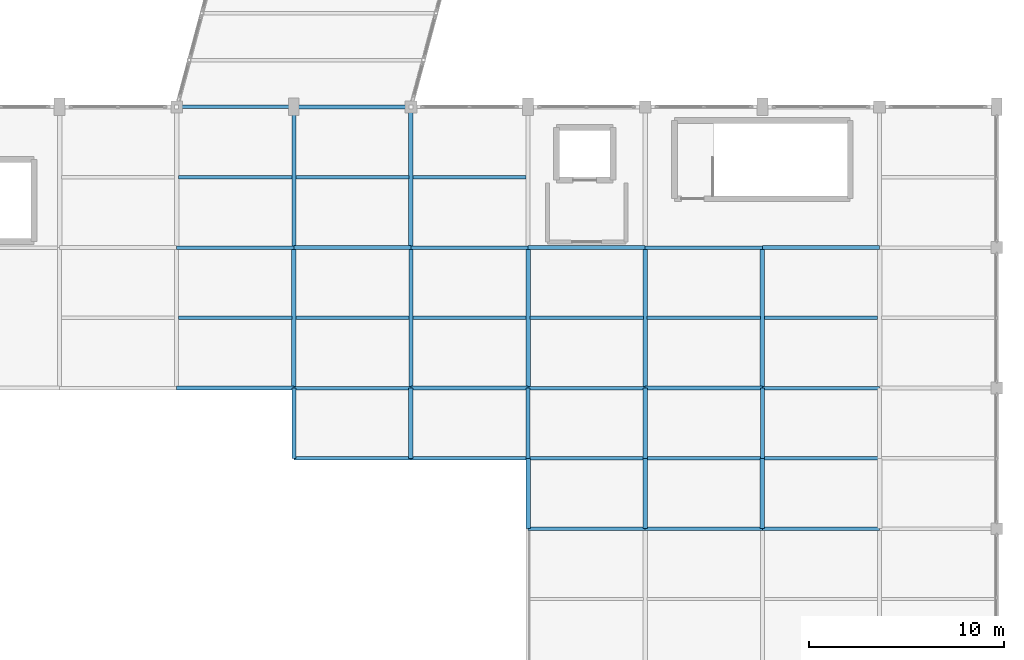
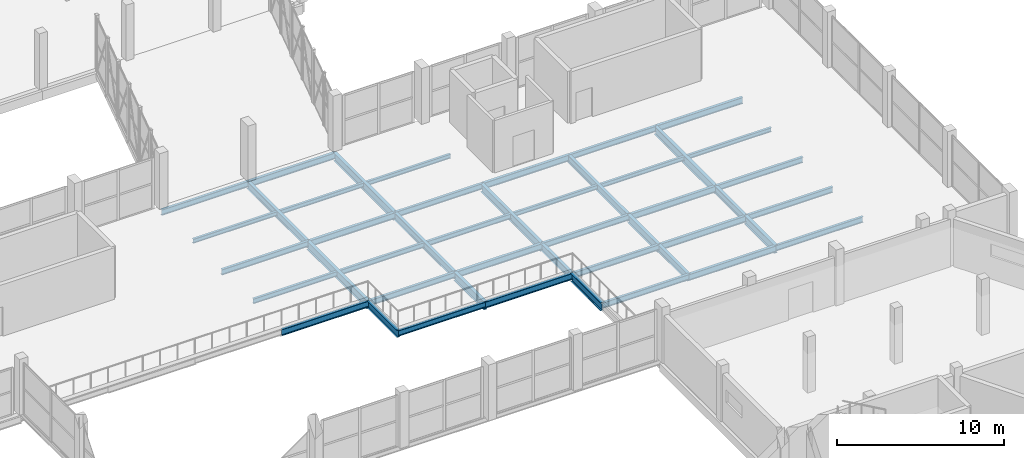
# One storey, part 76 of 127: 46 beams.
"""IFC4 building model written with IfcOpenShell, lengths in metres."""

from ifc_helpers import new_model, si_unit, direction, frame, origin, origin_2d, place, context, subcontext, project, spatial, i_section, extrude, material, material_profile, profile_set, type_object, element, save


model = new_model("IFC4")

# Units and contexts
model_context = context("Model", 3, precision=1e-05, world=origin(), true_north=direction((0.0, 1.0)))
body_context = subcontext(model_context, "Body", "Model", "MODEL_VIEW")
ifc_project = project(units=[si_unit("LENGTHUNIT", "METRE"), si_unit("AREAUNIT", "SQUARE_METRE"), si_unit("VOLUMEUNIT", "CUBIC_METRE"), si_unit("PLANEANGLEUNIT", "RADIAN"), si_unit("MASSUNIT", "GRAM", prefix="KILO")], contexts=[model_context])

# Site, building, storey
site_placement = place(None, origin())
site = spatial("IfcSite", under=ifc_project, at=site_placement, CompositionType="ELEMENT")
building_placement = place(site_placement, origin())
building = spatial("IfcBuilding", under=site, at=building_placement, Name="Dunvalen Ferry Terminal", CompositionType="ELEMENT")
storey_placement = place(building_placement, frame((0.0, 0.0, 5.760009765625)))
storey = spatial("IfcBuildingStorey", under=building, at=storey_placement, Name="L01", CompositionType="ELEMENT", Elevation=5.760009765625)

# Beams
ifc_material = material(Name="Steel S355", Category="steel")
ifc_material_profile_1 = material_profile(ifc_material, i_section(OverallWidth=0.1650390625, OverallDepth=0.303466796875, WebThickness=0.006103515625, FlangeThickness=0.01025390625, FilletRadius=0.0087890625, at=origin_2d()), Name="Steel S355")
ifc_profile_set_1 = profile_set([ifc_material_profile_1], Name="Steel S355")
beam_type_1 = type_object("IfcBeamType", Name="STR-BM-UKB305", PredefinedType="JOIST", material=ifc_profile_set_1)
for number, where, z_axis, x_axis, name in (
    (1, (126.10009765625, 82.800048828125, -0.41162109375), (1.0, 0.0, 0.0), (0.0, 1.0, 0.0), "L01 V2M Secondary Joist 004"),
    (2, (132.10009765625, 82.800048828125, -0.41162109375), (1.0, 0.0, 0.0), (0.0, 1.0, 0.0), "L01 V2M Secondary Joist 006"),
    (3, (138.10009765625, 82.800048828125, -0.41162109375), (1.0, 0.0, 0.0), (0.0, 1.0, 0.0), "L01 V2M Secondary Joist 008"),
    (4, (144.10009765625, 75.60009765625, -0.41162109375), (1.0, 0.0, 0.0), (0.0, 1.0, 0.0), "L01 V2M Secondary Joist 010"),
    (5, (150.10009765625, 75.60009765625, -0.41162109375), (1.0, 0.0, 0.0), (0.0, 1.0, 0.0), "L01 V2M Secondary Joist 012"),
    (6, (156.10009765625, 75.60009765625, -0.41162109375), (1.0, 0.0, 0.0), (0.0, 1.0, 0.0), "L01 V2M Secondary Joist 014"),
):
    element("IfcBeam", number, at=place(storey_placement, frame(where, z_axis=z_axis, x_axis=x_axis)), inside=storey, type_object=beam_type_1, Name=name, PredefinedType="JOIST", context=body_context, shape_type="SweptSolid", body=[
        extrude(i_section(OverallWidth=0.1650390625, OverallDepth=0.303466796875, WebThickness=0.006103515625, FlangeThickness=0.01025390625, FilletRadius=0.0087890625, at=origin_2d()), origin(), (0.0, 0.0, 1.0), 5.7998046875),
    ])
ifc_material_profile_2 = material_profile(ifc_material, i_section(OverallWidth=0.17138671875, OverallDepth=0.35498046875, WebThickness=0.00732421875, FlangeThickness=0.011474609375, FilletRadius=0.01025390625, at=origin_2d()), Name="Steel S355")
ifc_profile_set_2 = profile_set([ifc_material_profile_2], Name="Steel S355")
beam_type_2 = type_object("IfcBeamType", Name="STR-BM-UKB356", PredefinedType="JOIST", material=ifc_profile_set_2)
for number, where, z_axis, x_axis, name in (
    (7, (126.10009765625, 75.60009765625, -0.4375), (1.0, 0.0, 0.0), (0.0, 1.0, 0.0), "L01 V2M Secondary Joist 003"),
    (8, (132.10009765625, 75.60009765625, -0.4375), (1.0, 0.0, 0.0), (0.0, 1.0, 0.0), "L01 V2M Secondary Joist 005"),
    (9, (138.10009765625, 75.60009765625, -0.4375), (1.0, 0.0, 0.0), (0.0, 1.0, 0.0), "L01 V2M Secondary Joist 007"),
):
    element("IfcBeam", number, at=place(storey_placement, frame(where, z_axis=z_axis, x_axis=x_axis)), inside=storey, type_object=beam_type_2, Name=name, PredefinedType="JOIST", context=body_context, shape_type="SweptSolid", body=[
        extrude(i_section(OverallWidth=0.17138671875, OverallDepth=0.35498046875, WebThickness=0.00732421875, FlangeThickness=0.011474609375, FilletRadius=0.01025390625, at=origin_2d()), origin(), (0.0, 0.0, 1.0), 5.7998046875),
    ])
ifc_material_profile_3 = material_profile(ifc_material, i_section(OverallWidth=0.177978515625, OverallDepth=0.406494140625, WebThickness=0.0078125, FlangeThickness=0.0126953125, FilletRadius=0.01025390625, at=origin_2d()), Name="Steel S355")
ifc_profile_set_3 = profile_set([ifc_material_profile_3], Name="Steel S355")
beam_type_3 = type_object("IfcBeamType", Name="STR-BM-UKB406", PredefinedType="JOIST", material=ifc_profile_set_3)
for number, where, z_axis, x_axis, name in (
    (10, (144.0, 64.800048828125, -0.463134765625), (1.0, 0.0, 0.0), (0.0, 1.0, 0.0), "L01 V2M Primary Beam X-005"),
    (11, (156.0, 64.800048828125, -0.463134765625), (1.0, 0.0, 0.0), (0.0, 1.0, 0.0), "L01 V2M Primary Beam X-007"),
    (12, (132.0, 68.39990234375, -0.463134765625), (1.0, 0.0, 0.0), (0.0, 1.0, 0.0), "L01 V2M Primary Beam X-009"),
    (13, (144.0, 68.39990234375, -0.463134765625), (1.0, 0.0, 0.0), (0.0, 1.0, 0.0), "L01 V2M Primary Beam X-011"),
    (14, (156.0, 68.39990234375, -0.463134765625), (1.0, 0.0, 0.0), (0.0, 1.0, 0.0), "L01 V2M Primary Beam X-013"),
    (15, (132.0, 72.0, -0.463134765625), (1.0, 0.0, 0.0), (0.0, 1.0, 0.0), "L01 V2M Primary Beam X-019"),
    (16, (144.0, 72.0, -0.463134765625), (1.0, 0.0, 0.0), (0.0, 1.0, 0.0), "L01 V2M Primary Beam X-021"),
    (17, (156.0, 72.0, -0.463134765625), (1.0, 0.0, 0.0), (0.0, 1.0, 0.0), "L01 V2M Primary Beam X-023"),
    (18, (126.0, 79.199951171875, -0.463134765625), (1.0, 0.0, 0.0), (0.0, 1.0, 0.0), "L01 V2M Primary Beam X-027"),
    (19, (138.0, 79.199951171875, -0.463134765625), (1.0, 0.0, 0.0), (0.0, 1.0, 0.0), "L01 V2M Primary Beam X-029"),
    (20, (150.0, 79.199951171875, -0.463134765625), (1.0, 0.0, 0.0), (0.0, 1.0, 0.0), "L01 V2M Primary Beam X-031"),
    (21, (126.0, 86.39990234375, -0.463134765625), (1.0, 0.0, 0.0), (0.0, 1.0, 0.0), "L01 V2M Primary Beam X-037"),
):
    element("IfcBeam", number, at=place(storey_placement, frame(where, z_axis=z_axis, x_axis=x_axis)), inside=storey, type_object=beam_type_3, Name=name, PredefinedType="JOIST", context=body_context, shape_type="SweptSolid", body=[
        extrude(i_section(OverallWidth=0.177978515625, OverallDepth=0.406494140625, WebThickness=0.0078125, FlangeThickness=0.0126953125, FilletRadius=0.01025390625, at=origin_2d()), origin(), (0.0, 0.0, 1.0), 6.0),
    ])
ifc_material_profile_4 = material_profile(ifc_material, i_section(OverallWidth=0.1904296875, OverallDepth=0.45703125, WebThickness=0.009033203125, FlangeThickness=0.014404296875, FilletRadius=0.01025390625, at=origin_2d()), Name="Steel S355")
ifc_profile_set_4 = profile_set([ifc_material_profile_4], Name="Steel S355")
beam_type_4 = type_object("IfcBeamType", Name="STR-BM-UKB457", PredefinedType="BEAM", material=ifc_profile_set_4)
for number, where, z_axis, x_axis, name in (
    (22, (150.0, 64.800048828125, -0.488525390625), (1.0, 0.0, 0.0), (0.0, 1.0, 0.0), "L01 V2M Primary Beam X-006"),
    (23, (138.0, 68.39990234375, -0.488525390625), (1.0, 0.0, 0.0), (0.0, 1.0, 0.0), "L01 V2M Primary Beam X-010"),
    (24, (150.0, 68.39990234375, -0.488525390625), (1.0, 0.0, 0.0), (0.0, 1.0, 0.0), "L01 V2M Primary Beam X-012"),
    (25, (126.0, 72.0, -0.488525390625), (1.0, 0.0, 0.0), (0.0, 1.0, 0.0), "L01 V2M Primary Beam X-018"),
    (26, (138.0, 72.0, -0.488525390625), (1.0, 0.0, 0.0), (0.0, 1.0, 0.0), "L01 V2M Primary Beam X-020"),
    (27, (150.0, 72.0, -0.488525390625), (1.0, 0.0, 0.0), (0.0, 1.0, 0.0), "L01 V2M Primary Beam X-022"),
    (28, (132.0, 79.199951171875, -0.488525390625), (1.0, 0.0, 0.0), (0.0, 1.0, 0.0), "L01 V2M Primary Beam X-028"),
    (29, (144.0, 79.199951171875, -0.488525390625), (1.0, 0.0, 0.0), (0.0, 1.0, 0.0), "L01 V2M Primary Beam X-030"),
    (30, (156.0, 79.199951171875, -0.488525390625), (1.0, 0.0, 0.0), (0.0, 1.0, 0.0), "L01 V2M Primary Beam X-032"),
    (31, (132.0, 86.39990234375, -0.488525390625), (1.0, 0.0, 0.0), (0.0, 1.0, 0.0), "L01 V2M Primary Beam X-038"),
):
    element("IfcBeam", number, at=place(storey_placement, frame(where, z_axis=z_axis, x_axis=x_axis)), inside=storey, type_object=beam_type_4, Name=name, PredefinedType="BEAM", context=body_context, shape_type="SweptSolid", body=[
        extrude(i_section(OverallWidth=0.1904296875, OverallDepth=0.45703125, WebThickness=0.009033203125, FlangeThickness=0.014404296875, FilletRadius=0.01025390625, at=origin_2d()), origin(), (0.0, 0.0, 1.0), 6.0),
    ])
ifc_material_profile_5 = material_profile(ifc_material, i_section(OverallWidth=0.209228515625, OverallDepth=0.533203125, WebThickness=0.010009765625, FlangeThickness=0.015625, FilletRadius=0.0126953125, at=origin_2d()), Name="Steel S355")
ifc_profile_set_5 = profile_set([ifc_material_profile_5], Name="Steel S355")
beam_type_5 = type_object("IfcBeamType", Name="STR-BM-UKB533", PredefinedType="BEAM", material=ifc_profile_set_5)
beam_1_placement = place(storey_placement, frame((132.0, 68.39990234375, -0.526611328125), z_axis=(0.0, 1.0, 0.0), x_axis=(-1.0, 0.0, 0.0)))
element("IfcBeam", 32, at=beam_1_placement, inside=storey, type_object=beam_type_5, Name="L01 V2M Primary Girder Y-050", PredefinedType="BEAM", context=body_context, shape_type="SweptSolid", body=[
    extrude(i_section(OverallWidth=0.209228515625, OverallDepth=0.533203125, WebThickness=0.010009765625, FlangeThickness=0.015625, FilletRadius=0.0126953125, at=origin_2d()), origin(), (0.0, 0.0, 1.0), 3.60009765625),
])
for number, where, z_axis, x_axis, name in (
    (33, (132.0, 79.199951171875, -0.526611328125), (0.0, 1.0, 0.0), (-1.0, 0.0, 0.0), "L01 V2M Primary Girder Y-052"),
    (34, (138.0, 72.0, -0.526611328125), (0.0, 1.0, 0.0), (-1.0, 0.0, 0.0), "L01 V2M Primary Girder Y-054"),
):
    element("IfcBeam", number, at=place(storey_placement, frame(where, z_axis=z_axis, x_axis=x_axis)), inside=storey, type_object=beam_type_5, Name=name, PredefinedType="BEAM", context=body_context, shape_type="SweptSolid", body=[
        extrude(i_section(OverallWidth=0.209228515625, OverallDepth=0.533203125, WebThickness=0.010009765625, FlangeThickness=0.015625, FilletRadius=0.0126953125, at=origin_2d()), origin(), (0.0, 0.0, 1.0), 7.199951171875),
    ])
beam_2_placement = place(storey_placement, frame((144.0, 68.39990234375, -0.526611328125), z_axis=(0.0, 1.0, 0.0), x_axis=(-1.0, 0.0, 0.0)))
element("IfcBeam", 35, at=beam_2_placement, inside=storey, type_object=beam_type_5, Name="L01 V2M Primary Girder Y-058", PredefinedType="BEAM", context=body_context, shape_type="SweptSolid", body=[
    extrude(i_section(OverallWidth=0.209228515625, OverallDepth=0.533203125, WebThickness=0.010009765625, FlangeThickness=0.015625, FilletRadius=0.0126953125, at=origin_2d()), origin(), (0.0, 0.0, 1.0), 3.60009765625),
])
beam_3_placement = place(storey_placement, frame((150.0, 64.800048828125, -0.526611328125), z_axis=(0.0, 1.0, 0.0), x_axis=(-1.0, 0.0, 0.0)))
element("IfcBeam", 36, at=beam_3_placement, inside=storey, type_object=beam_type_5, Name="L01 V2M Primary Girder Y-062", PredefinedType="BEAM", context=body_context, shape_type="SweptSolid", body=[
    extrude(i_section(OverallWidth=0.209228515625, OverallDepth=0.533203125, WebThickness=0.010009765625, FlangeThickness=0.015625, FilletRadius=0.0126953125, at=origin_2d()), origin(), (0.0, 0.0, 1.0), 3.599853515625),
])
beam_4_placement = place(storey_placement, frame((150.0, 72.0, -0.526611328125), z_axis=(0.0, 1.0, 0.0), x_axis=(-1.0, 0.0, 0.0)))
element("IfcBeam", 37, at=beam_4_placement, inside=storey, type_object=beam_type_5, Name="L01 V2M Primary Girder Y-064", PredefinedType="BEAM", context=body_context, shape_type="SweptSolid", body=[
    extrude(i_section(OverallWidth=0.209228515625, OverallDepth=0.533203125, WebThickness=0.010009765625, FlangeThickness=0.015625, FilletRadius=0.0126953125, at=origin_2d()), origin(), (0.0, 0.0, 1.0), 7.199951171875),
])
beam_5_placement = place(storey_placement, frame((156.0, 68.39990234375, -0.526611328125), z_axis=(0.0, 1.0, 0.0), x_axis=(-1.0, 0.0, 0.0)))
element("IfcBeam", 38, at=beam_5_placement, inside=storey, type_object=beam_type_5, Name="L01 V2M Primary Girder Y-068", PredefinedType="BEAM", context=body_context, shape_type="SweptSolid", body=[
    extrude(i_section(OverallWidth=0.209228515625, OverallDepth=0.533203125, WebThickness=0.010009765625, FlangeThickness=0.015625, FilletRadius=0.0126953125, at=origin_2d()), origin(), (0.0, 0.0, 1.0), 3.60009765625),
])
ifc_material_profile_6 = material_profile(ifc_material, i_section(OverallWidth=0.228271484375, OverallDepth=0.607666015625, WebThickness=0.010986328125, FlangeThickness=0.017333984375, FilletRadius=0.0126953125, at=origin_2d()), Name="Steel S355")
ifc_profile_set_6 = profile_set([ifc_material_profile_6], Name="Steel S355")
beam_type_6 = type_object("IfcBeamType", Name="STR-BM-UKB610", PredefinedType="BEAM", material=ifc_profile_set_6)
beam_6_placement = place(storey_placement, frame((132.0, 72.0, -0.563720703125), z_axis=(0.0, 1.0, 0.0), x_axis=(-1.0, 0.0, 0.0)))
element("IfcBeam", 39, at=beam_6_placement, inside=storey, type_object=beam_type_6, Name="L01 V2M Primary Girder Y-051", PredefinedType="BEAM", context=body_context, shape_type="SweptSolid", body=[
    extrude(i_section(OverallWidth=0.228271484375, OverallDepth=0.607666015625, WebThickness=0.010986328125, FlangeThickness=0.017333984375, FilletRadius=0.0126953125, at=origin_2d()), origin(), (0.0, 0.0, 1.0), 7.199951171875),
])
beam_7_placement = place(storey_placement, frame((138.0, 68.39990234375, -0.563720703125), z_axis=(0.0, 1.0, 0.0), x_axis=(-1.0, 0.0, 0.0)))
element("IfcBeam", 40, at=beam_7_placement, inside=storey, type_object=beam_type_6, Name="L01 V2M Primary Girder Y-053", PredefinedType="BEAM", context=body_context, shape_type="SweptSolid", body=[
    extrude(i_section(OverallWidth=0.228271484375, OverallDepth=0.607666015625, WebThickness=0.010986328125, FlangeThickness=0.017333984375, FilletRadius=0.0126953125, at=origin_2d()), origin(), (0.0, 0.0, 1.0), 3.60009765625),
])
beam_8_placement = place(storey_placement, frame((138.0, 79.199951171875, -0.563720703125), z_axis=(0.0, 1.0, 0.0), x_axis=(-1.0, 0.0, 0.0)))
element("IfcBeam", 41, at=beam_8_placement, inside=storey, type_object=beam_type_6, Name="L01 V2M Primary Girder Y-055", PredefinedType="BEAM", context=body_context, shape_type="SweptSolid", body=[
    extrude(i_section(OverallWidth=0.228271484375, OverallDepth=0.607666015625, WebThickness=0.010986328125, FlangeThickness=0.017333984375, FilletRadius=0.0126953125, at=origin_2d()), origin(), (0.0, 0.0, 1.0), 7.199951171875),
])
beam_9_placement = place(storey_placement, frame((144.0, 64.800048828125, -0.563720703125), z_axis=(0.0, 1.0, 0.0), x_axis=(-1.0, 0.0, 0.0)))
element("IfcBeam", 42, at=beam_9_placement, inside=storey, type_object=beam_type_6, Name="L01 V2M Primary Girder Y-057", PredefinedType="BEAM", context=body_context, shape_type="SweptSolid", body=[
    extrude(i_section(OverallWidth=0.228271484375, OverallDepth=0.607666015625, WebThickness=0.010986328125, FlangeThickness=0.017333984375, FilletRadius=0.0126953125, at=origin_2d()), origin(), (0.0, 0.0, 1.0), 3.599853515625),
])
beam_10_placement = place(storey_placement, frame((144.0, 72.0, -0.563720703125), z_axis=(0.0, 1.0, 0.0), x_axis=(-1.0, 0.0, 0.0)))
element("IfcBeam", 43, at=beam_10_placement, inside=storey, type_object=beam_type_6, Name="L01 V2M Primary Girder Y-059", PredefinedType="BEAM", context=body_context, shape_type="SweptSolid", body=[
    extrude(i_section(OverallWidth=0.228271484375, OverallDepth=0.607666015625, WebThickness=0.010986328125, FlangeThickness=0.017333984375, FilletRadius=0.0126953125, at=origin_2d()), origin(), (0.0, 0.0, 1.0), 7.199951171875),
])
beam_11_placement = place(storey_placement, frame((150.0, 68.39990234375, -0.563720703125), z_axis=(0.0, 1.0, 0.0), x_axis=(-1.0, 0.0, 0.0)))
element("IfcBeam", 44, at=beam_11_placement, inside=storey, type_object=beam_type_6, Name="L01 V2M Primary Girder Y-063", PredefinedType="BEAM", context=body_context, shape_type="SweptSolid", body=[
    extrude(i_section(OverallWidth=0.228271484375, OverallDepth=0.607666015625, WebThickness=0.010986328125, FlangeThickness=0.017333984375, FilletRadius=0.0126953125, at=origin_2d()), origin(), (0.0, 0.0, 1.0), 3.60009765625),
])
beam_12_placement = place(storey_placement, frame((156.0, 64.800048828125, -0.563720703125), z_axis=(0.0, 1.0, 0.0), x_axis=(-1.0, 0.0, 0.0)))
element("IfcBeam", 45, at=beam_12_placement, inside=storey, type_object=beam_type_6, Name="L01 V2M Primary Girder Y-067", PredefinedType="BEAM", context=body_context, shape_type="SweptSolid", body=[
    extrude(i_section(OverallWidth=0.228271484375, OverallDepth=0.607666015625, WebThickness=0.010986328125, FlangeThickness=0.017333984375, FilletRadius=0.0126953125, at=origin_2d()), origin(), (0.0, 0.0, 1.0), 3.599853515625),
])
beam_13_placement = place(storey_placement, frame((156.0, 72.0, -0.563720703125), z_axis=(0.0, 1.0, 0.0), x_axis=(-1.0, 0.0, 0.0)))
element("IfcBeam", 46, at=beam_13_placement, inside=storey, type_object=beam_type_6, Name="L01 V2M Primary Girder Y-069", PredefinedType="BEAM", context=body_context, shape_type="SweptSolid", body=[
    extrude(i_section(OverallWidth=0.228271484375, OverallDepth=0.607666015625, WebThickness=0.010986328125, FlangeThickness=0.017333984375, FilletRadius=0.0126953125, at=origin_2d()), origin(), (0.0, 0.0, 1.0), 7.199951171875),
])

save(model, "model.ifc")
